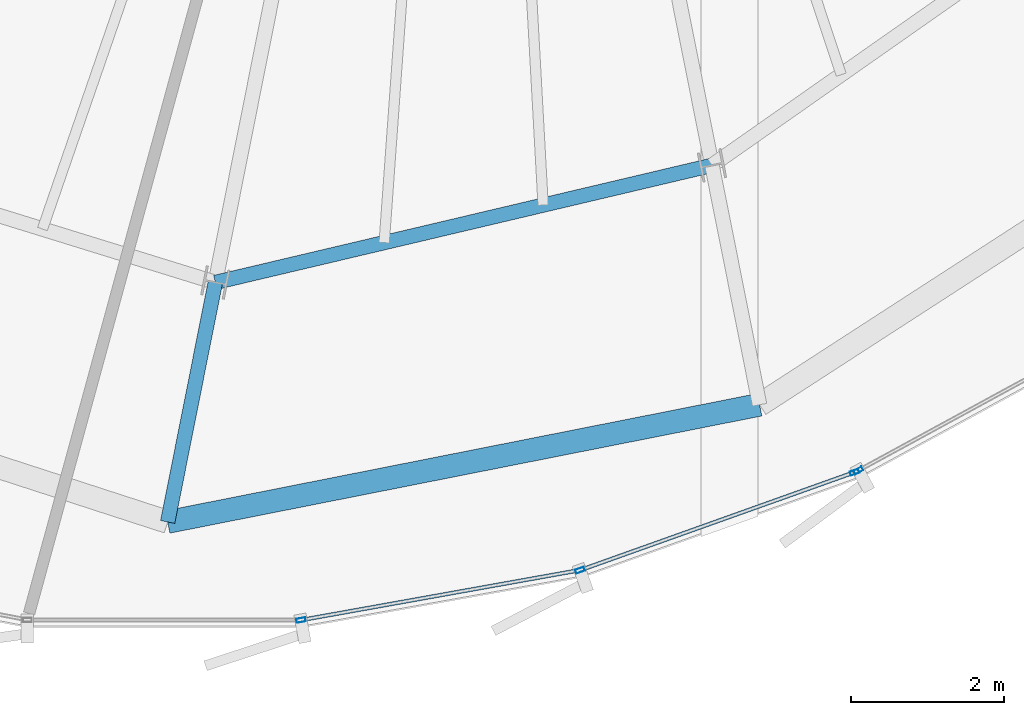
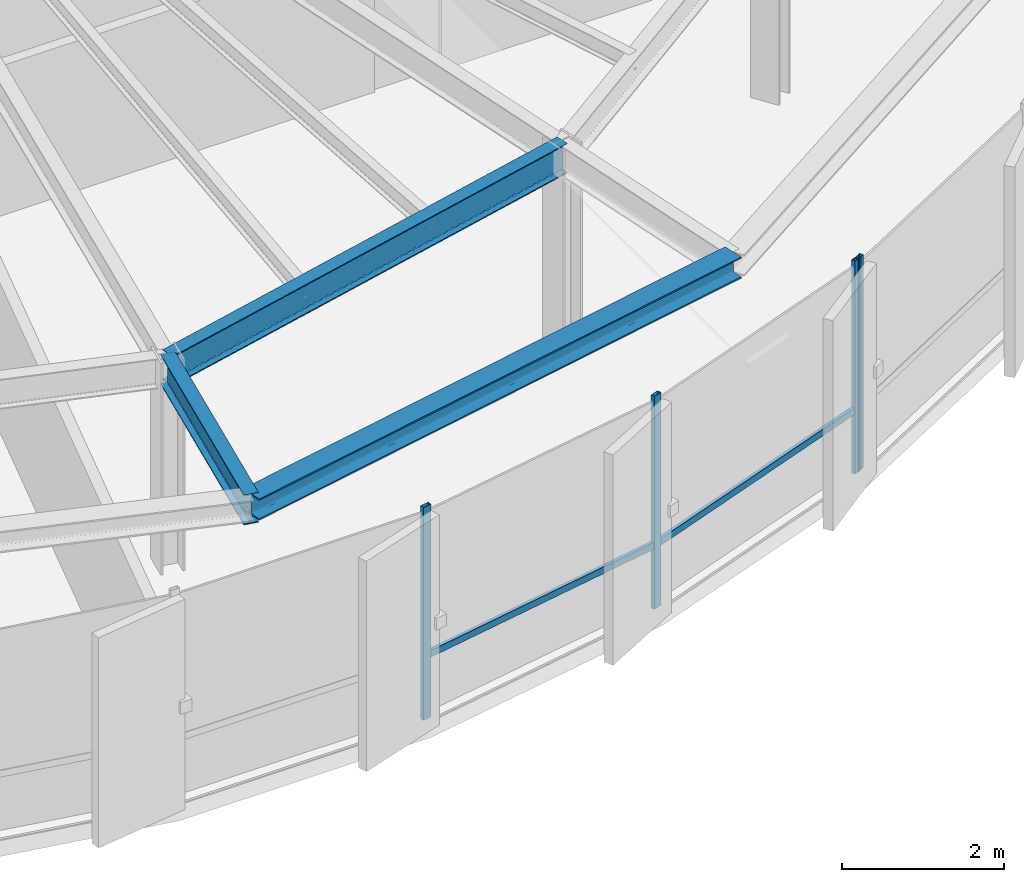
# One storey, part 6 of 33: 6 members, 3 beams, 2 elements without a shape of their own.
"""IFC4 building model written with IfcOpenShell, lengths in metres."""

from ifc_helpers import new_model, si_unit, direction, frame, origin, origin_2d, place, context, subcontext, project, spatial, hollow_rectangle, i_section, extrude, source, transform, mapped, material, layer, layer_set, material_profile, profile_set, type_object, element, aggregate, save


model = new_model("IFC4")

# Units and contexts
model_context = context("Model", 3, precision=1e-05, world=origin(), true_north=direction((0.0, 1.0)))
body_context = subcontext(model_context, "Body", "Model", "MODEL_VIEW")
ifc_project = project(units=[si_unit("LENGTHUNIT", "METRE"), si_unit("AREAUNIT", "SQUARE_METRE"), si_unit("VOLUMEUNIT", "CUBIC_METRE"), si_unit("PLANEANGLEUNIT", "RADIAN"), si_unit("MASSUNIT", "GRAM", prefix="KILO"), si_unit("THERMODYNAMICTEMPERATUREUNIT", "KELVIN")], contexts=[model_context])

# Site, building, storey
site_placement = place(None, origin())
site = spatial("IfcSite", under=ifc_project, at=site_placement, CompositionType="ELEMENT")
building_placement = place(site_placement, origin())
building = spatial("IfcBuilding", under=site, at=building_placement, Name="Kethvar Cultural Tower", CompositionType="ELEMENT")
storey_placement = place(building_placement, frame((0.0, 0.0, 235.300048828125)))
storey = spatial("IfcBuildingStorey", under=building, at=storey_placement, Name="L61", CompositionType="ELEMENT", Elevation=235.300048828125)

# Beams
ifc_material_1 = material(Name="Steel S355J2", Category="steel")
ifc_material_profile_1 = material_profile(ifc_material_1, i_section(OverallWidth=0.18994140625, OverallDepth=0.449951171875, WebThickness=0.009521484375, FlangeThickness=0.0146484375, FilletRadius=0.02099609375, at=origin_2d()), Name="Steel S355J2 — IPE450")
ifc_profile_set_1 = profile_set([ifc_material_profile_1], Name="Steel S355J2 — IPE450")
beam_type_1 = type_object("IfcBeamType", Name="BM-IPE450", PredefinedType="BEAM", material=ifc_profile_set_1)
shared_shape_1 = source(origin(), body_context, "Body", "SweptSolid", [
    extrude(i_section(OverallWidth=0.18994140625, OverallDepth=0.449951171875, WebThickness=0.009521484375, FlangeThickness=0.0146484375, FilletRadius=0.02099609375, at=origin_2d()), origin(), (0.0, 0.0, 1.0), 3.2001953125),
])
beam_1_placement = place(storey_placement, frame((43.392822265625, 10.67138671875, 2.98291015625), z_axis=(-0.195074368086, -0.980788453702, 0.0), x_axis=(0.980788453702, -0.195074368086, 0.0)))
element("IfcBeam", 1, at=beam_1_placement, inside=storey, type_object=beam_type_1, Name="L61 Perimeter Cantilever Beam RC-12", PredefinedType="BEAM", context=body_context, shape_type="MappedRepresentation", body=[
    mapped(shared_shape_1, transform((0.0, 0.0, 0.0), scale=1.0)),
])
shared_shape_2 = source(origin(), body_context, "Body", "SweptSolid", [
    extrude(i_section(OverallWidth=0.18994140625, OverallDepth=0.449951171875, WebThickness=0.009521484375, FlangeThickness=0.0146484375, FilletRadius=0.02099609375, at=origin_2d()), origin(), (0.0, 0.0, 1.0), 6.6875),
])
beam_2_placement = place(storey_placement, frame((43.392822265625, 10.67138671875, 2.98291015625), z_axis=(0.973286301494, 0.22959480683, 0.0), x_axis=(-0.22959480683, 0.973286301494, 0.0)))
element("IfcBeam", 2, at=beam_2_placement, inside=storey, type_object=beam_type_1, Name="L61 Column Ring Tie Beam CR-12", PredefinedType="BEAM", context=body_context, shape_type="MappedRepresentation", body=[
    mapped(shared_shape_2, transform((0.0, 0.0, 0.0), scale=1.0)),
])
ifc_material_profile_2 = material_profile(ifc_material_1, i_section(OverallWidth=0.300048828125, OverallDepth=0.320068359375, WebThickness=0.011474609375, FlangeThickness=0.0205078125, FilletRadius=0.027099609375, at=origin_2d()), Name="Steel S355J2 — HEB320")
ifc_profile_set_2 = profile_set([ifc_material_profile_2], Name="Steel S355J2 — HEB320")
beam_type_2 = type_object("IfcBeamType", Name="BM-SP320", PredefinedType="SPANDREL", material=ifc_profile_set_2)
shared_shape_3 = source(origin(), body_context, "Body", "SweptSolid", [
    extrude(i_section(OverallWidth=0.300048828125, OverallDepth=0.320068359375, WebThickness=0.011474609375, FlangeThickness=0.0205078125, FilletRadius=0.027099609375, at=origin_2d()), origin(), (0.0, 0.0, 1.0), 7.907958984375),
])
beam_3_placement = place(storey_placement, frame((42.7685546875, 7.53271484375, 3.0478515625), z_axis=(0.980963515828, 0.194192122948, 0.0), x_axis=(-0.194192122948, 0.980963515828, 0.0)))
element("IfcBeam", 3, at=beam_3_placement, inside=storey, type_object=beam_type_2, Name="L61 Perimeter Spandrel Beam SP-12", PredefinedType="SPANDREL", context=body_context, shape_type="MappedRepresentation", body=[
    mapped(shared_shape_3, transform((0.0, 0.0, 0.0), scale=1.0)),
])

# Curtain wall, members
ifc_material_2 = material(Name="Aluminium 6063-T6", Category="aluminium")
ifc_layer = layer(ifc_material_2, 0.179931640625, Name="Aluminium 6063-T6", Category="aluminium")
ifc_layer_set = layer_set([ifc_layer], Name="Aluminium 6063-T6 (180 mm)")
curtain_wall_type = type_object("IfcCurtainWallType", Name="CW-SYS-05-Z56", PredefinedType="NOTDEFINED", material=ifc_layer_set)
curtain_wall_1_placement = place(storey_placement, origin())
curtain_wall_1 = element("IfcCurtainWall", 4, at=curtain_wall_1_placement, inside=storey, type_object=curtain_wall_type, Name="L61 Curtain Wall Run 04", PredefinedType="NOTDEFINED")
ifc_material_profile_3 = material_profile(ifc_material_2, hollow_rectangle(XDim=0.054931640625, YDim=0.1201171875, WallThickness=0.00390625, at=origin_2d()), Name="Aluminium 6063-T6 — RHS120x55x4")
ifc_profile_set_3 = profile_set([ifc_material_profile_3], Name="Aluminium 6063-T6 — RHS120x55x4")
member_type_1 = type_object("IfcMemberType", Name="CW-SYS-05-Z56-MUL", PredefinedType="MULLION", material=ifc_profile_set_3)
shared_shape_4 = source(origin(), body_context, "Body", "SweptSolid", [
    extrude(hollow_rectangle(XDim=0.054931640625, YDim=0.1201171875, WallThickness=0.00390625, at=origin_2d()), origin(), (0.0, 0.0, 1.0), 3.2099609375),
])
member_1_placement = place(storey_placement, frame((44.515380859375, 6.246337890625, 0.0), z_axis=(0.0, 0.0, 1.0), x_axis=(-0.176328880208, 0.984331309065, 0.0)))
member_1 = element("IfcMember", 5, at=member_1_placement, type_object=member_type_1, Name="CW-L61-R04 Mullion 5", PredefinedType="MULLION", context=body_context, shape_type="MappedRepresentation", body=[
    mapped(shared_shape_4, transform((0.0, 0.0, 0.0), scale=1.0)),
])
member_2_placement = place(storey_placement, frame((48.1728515625, 6.900146484375, 0.0), z_axis=(0.0, 0.0, 1.0), x_axis=(-0.336191356406, 0.941793699213, 0.0)))
member_2 = element("IfcMember", 6, at=member_2_placement, type_object=member_type_1, Name="CW-L61-R04 Mullion 6", PredefinedType="MULLION", context=body_context, shape_type="MappedRepresentation", body=[
    mapped(shared_shape_4, transform((0.0, 0.0, 0.0), scale=1.0)),
])
member_3_placement = place(storey_placement, frame((51.769775390625, 8.18408203125, 0.0), z_axis=(0.0, 0.0, 1.0), x_axis=(-0.336191356406, 0.941793699213, 0.0)))
member_3 = element("IfcMember", 7, at=member_3_placement, type_object=member_type_1, Name="CW-L61-R04 Mullion 7", PredefinedType="MULLION", context=body_context, shape_type="MappedRepresentation", body=[
    mapped(shared_shape_4, transform((0.0, 0.0, 0.0), scale=1.0)),
])

# Curtain wall, member
curtain_wall_2_placement = place(storey_placement, origin())
curtain_wall_2 = element("IfcCurtainWall", 8, at=curtain_wall_2_placement, inside=storey, type_object=curtain_wall_type, Name="L61 Curtain Wall Run 05", PredefinedType="NOTDEFINED")
member_4_placement = place(storey_placement, frame((51.820556640625, 8.206787109375, 0.0), z_axis=(0.0, 0.0, 1.0), x_axis=(-0.478370028227, 0.878158366181, 0.0)))
member_4 = element("IfcMember", 9, at=member_4_placement, type_object=member_type_1, Name="CW-L61-R05 Mullion 1", PredefinedType="MULLION", context=body_context, shape_type="MappedRepresentation", body=[
    mapped(shared_shape_4, transform((0.0, 0.0, 0.0), scale=1.0)),
])
aggregate(curtain_wall_2, [member_4])

# Member
ifc_material_profile_4 = material_profile(ifc_material_2, hollow_rectangle(XDim=0.050048828125, YDim=0.10009765625, WallThickness=0.00390625, at=origin_2d()), Name="Aluminium 6063-T6 — RHS100x50x4")
ifc_profile_set_4 = profile_set([ifc_material_profile_4], Name="Aluminium 6063-T6 — RHS100x50x4")
member_type_2 = type_object("IfcMemberType", Name="CW-SYS-05-Z56-TRN", PredefinedType="USERDEFINED", material=ifc_profile_set_4)
shared_shape_5 = source(origin(), body_context, "Body", "SweptSolid", [
    extrude(hollow_rectangle(XDim=0.050048828125, YDim=0.10009765625, WallThickness=0.00390625, at=origin_2d()), origin(), (0.0, 0.0, 1.0), 3.775634765625),
])
member_5_placement = place(storey_placement, frame((48.210205078125, 6.913330078125, 0.949951171875), z_axis=(0.941778478642, 0.336233991688, 0.0), x_axis=(-0.336233991688, 0.941778478642, 0.0)))
member_5 = element("IfcMember", 10, at=member_5_placement, type_object=member_type_2, Name="CW-L61-R04 Transom 6", ObjectType="TRANSOM", PredefinedType="USERDEFINED", context=body_context, shape_type="MappedRepresentation", body=[
    mapped(shared_shape_5, transform((0.0, 0.0, 0.0), scale=1.0)),
])

shared_shape_6 = source(origin(), body_context, "Body", "SweptSolid", [
    extrude(hollow_rectangle(XDim=0.050048828125, YDim=0.10009765625, WallThickness=0.00390625, at=origin_2d()), origin(), (0.0, 0.0, 1.0), 3.652587890625),
])
member_6_placement = place(storey_placement, frame((44.554443359375, 6.25341796875, 0.949951171875), z_axis=(0.984332834383, 0.176320365119, 0.0), x_axis=(-0.176320365119, 0.984332834383, 0.0)))
member_6 = element("IfcMember", 11, at=member_6_placement, type_object=member_type_2, Name="CW-L61-R04 Transom 5", ObjectType="TRANSOM", PredefinedType="USERDEFINED", context=body_context, shape_type="MappedRepresentation", body=[
    mapped(shared_shape_6, transform((0.0, 0.0, 0.0), scale=1.0)),
])

aggregate(curtain_wall_1, [member_1, member_2, member_3, member_6, member_5])

save(model, "model.ifc")
